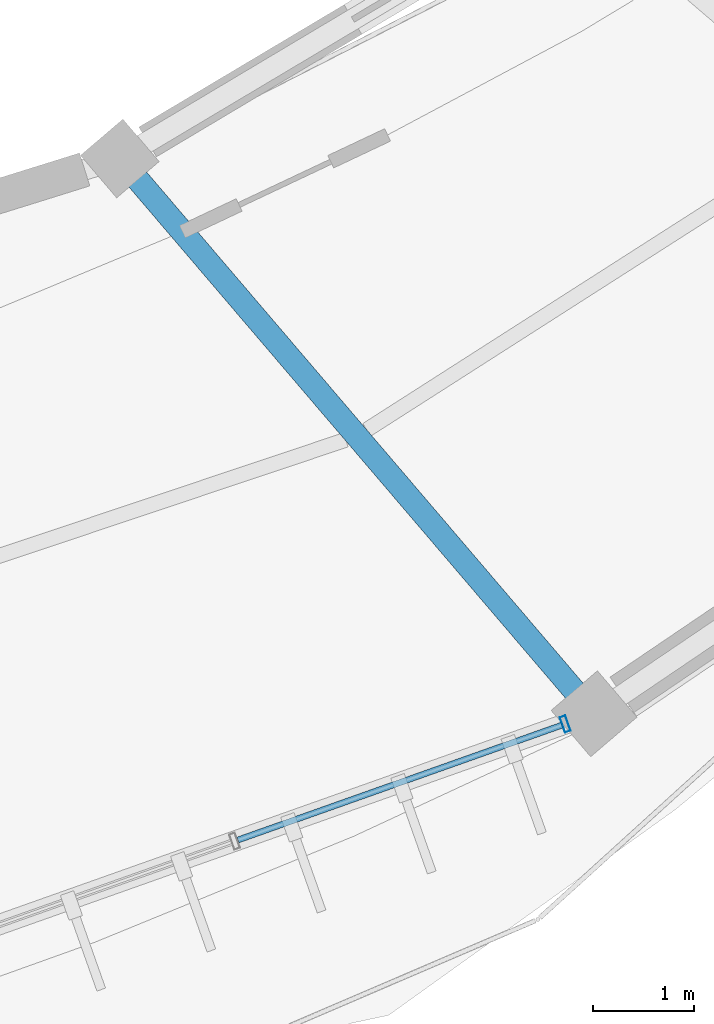
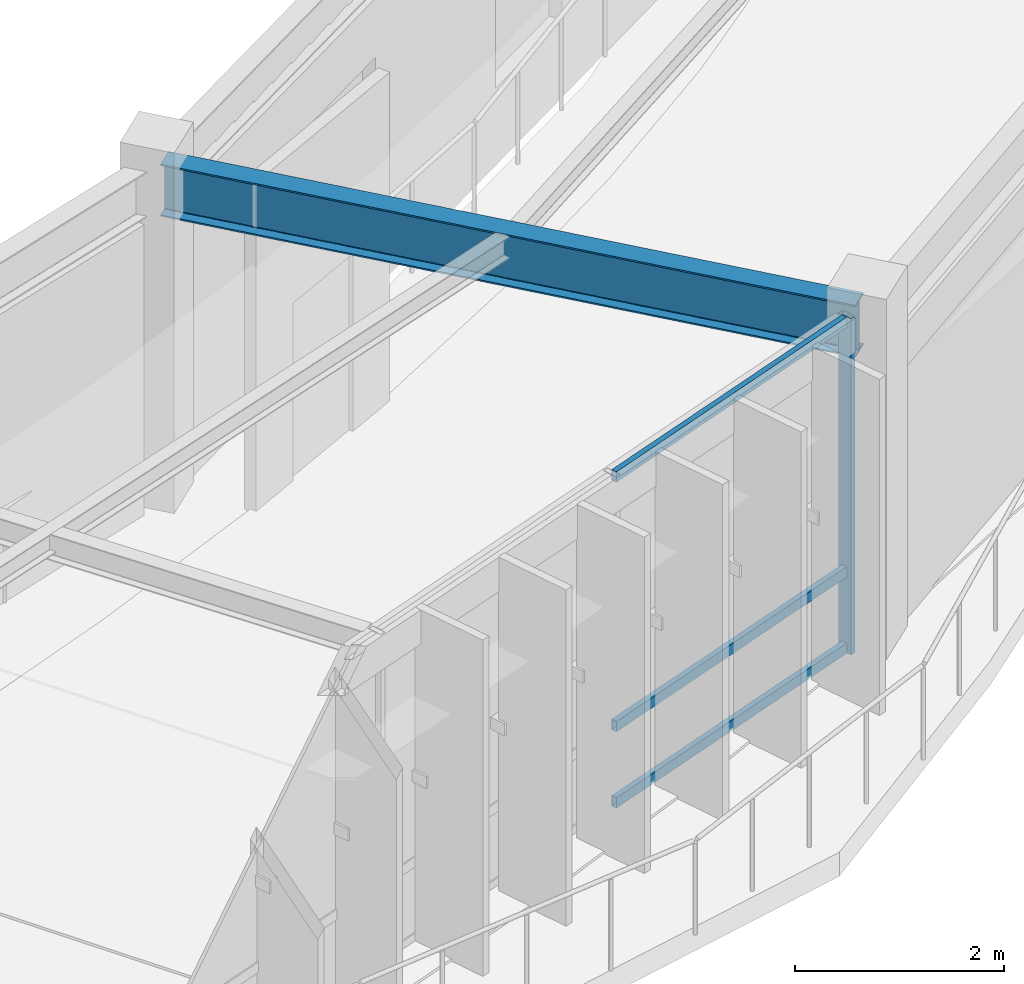
# One storey, part 35 of 83: 4 members, 1 beam, 1 element without a shape of its own.
"""IFC4 building model written with IfcOpenShell, lengths in metres."""

from ifc_helpers import new_model, si_unit, direction, frame, origin, origin_2d, place, context, subcontext, project, spatial, hollow_rectangle, i_section, extrude, material, material_profile, profile_set, type_object, element, aggregate, save


model = new_model("IFC4")

# Units and contexts
model_context = context("Model", 3, precision=1e-05, world=origin(), true_north=direction((0.0, 1.0)))
body_context = subcontext(model_context, "Body", "Model", "MODEL_VIEW")
ifc_project = project(units=[si_unit("LENGTHUNIT", "METRE"), si_unit("AREAUNIT", "SQUARE_METRE"), si_unit("VOLUMEUNIT", "CUBIC_METRE"), si_unit("PLANEANGLEUNIT", "RADIAN"), si_unit("MASSUNIT", "GRAM", prefix="KILO"), si_unit("THERMODYNAMICTEMPERATUREUNIT", "KELVIN"), si_unit("POWERUNIT", "WATT")], contexts=[model_context])

# Site, building, storey
site_placement = place(None, origin())
site = spatial("IfcSite", under=ifc_project, at=site_placement, CompositionType="ELEMENT")
building_placement = place(site_placement, origin())
building = spatial("IfcBuilding", under=site, at=building_placement, Name="Darbajah Civic Hall", CompositionType="ELEMENT")
storey_placement = place(building_placement, frame((0.0, 0.0, 18.0)))
storey = spatial("IfcBuildingStorey", under=building, at=storey_placement, Name="L04", CompositionType="ELEMENT", Elevation=18.0)

# Curtain wall, members
ifc_material_1 = material(Name="Anodised Bronze Aluminium and Low-E Glazing", Category="aluminium")
curtain_wall_type = type_object("IfcCurtainWallType", Name="Unitised Curtain Wall CW-62 13800x3900", PredefinedType="USERDEFINED", material=ifc_material_1)
curtain_wall_placement = place(storey_placement, origin())
curtain_wall = element("IfcCurtainWall", 1, at=curtain_wall_placement, inside=storey, type_object=curtain_wall_type, Name="L04 unitised curtain wall CW-V1O-L04-16", ObjectType="UNITISED CURTAIN WALL", PredefinedType="USERDEFINED")
ifc_material_2 = material(Name="Anodised Bronze Aluminium", Category="aluminium")
ifc_material_profile_1 = material_profile(ifc_material_2, hollow_rectangle(XDim=0.06005859375, YDim=0.159912109375, WallThickness=0.00341796875, at=origin_2d()), Name="ALU MULLION 60x160")
ifc_profile_set_1 = profile_set([ifc_material_profile_1], Name="Anodised Bronze Aluminium")
member_type_1 = type_object("IfcMemberType", Name="ALU MULLION 60x160", PredefinedType="MULLION", material=ifc_profile_set_1)
member_1_placement = place(storey_placement, frame((121.937255859375, 67.26708984375, 0.0), z_axis=(0.0, 0.0, 1.0), x_axis=(0.94252491309, 0.334135882844, 0.0)))
member_1 = element("IfcMember", 2, at=member_1_placement, type_object=member_type_1, Name="CW-V1O-L04-16 mullion 5", PredefinedType="MULLION", context=body_context, shape_type="SweptSolid", body=[
    extrude(hollow_rectangle(XDim=0.06005859375, YDim=0.159912109375, WallThickness=0.00341796875, at=origin_2d()), origin(), (0.0, 0.0, 1.0), 3.919921875),
])
ifc_material_profile_2 = material_profile(ifc_material_2, hollow_rectangle(XDim=0.06005859375, YDim=0.1201171875, WallThickness=0.003173828125, at=origin_2d()), Name="ALU TRANSOM 60x120")
ifc_profile_set_2 = profile_set([ifc_material_profile_2], Name="Anodised Bronze Aluminium")
member_type_2 = type_object("IfcMemberType", Name="ALU TRANSOM 60x120", PredefinedType="USERDEFINED", material=ifc_profile_set_2)
member_2_placement = place(storey_placement, frame((118.711181640625, 66.12353515625, 0.06005859375), z_axis=(0.942539786443, 0.334093925373, 0.0), x_axis=(-0.334093925373, 0.942539786443, 0.0)))
member_2 = element("IfcMember", 3, at=member_2_placement, type_object=member_type_2, Name="CW-V1O-L04-16 transom 4.1", ObjectType="TRANSOM", PredefinedType="USERDEFINED", context=body_context, shape_type="SweptSolid", body=[
    extrude(hollow_rectangle(XDim=0.06005859375, YDim=0.1201171875, WallThickness=0.003173828125, at=origin_2d()), origin(), (0.0, 0.0, 1.0), 3.3876953125),
])
member_3_placement = place(storey_placement, frame((118.711181640625, 66.12353515625, 0.949951171875), z_axis=(0.942539786443, 0.334093925373, 0.0), x_axis=(-0.334093925373, 0.942539786443, 0.0)))
member_3 = element("IfcMember", 4, at=member_3_placement, type_object=member_type_2, Name="CW-V1O-L04-16 transom 4.2", ObjectType="TRANSOM", PredefinedType="USERDEFINED", context=body_context, shape_type="SweptSolid", body=[
    extrude(hollow_rectangle(XDim=0.06005859375, YDim=0.1201171875, WallThickness=0.003173828125, at=origin_2d()), origin(), (0.0, 0.0, 1.0), 3.3876953125),
])
member_4_placement = place(storey_placement, frame((118.711181640625, 66.12353515625, 3.860107421875), z_axis=(0.942539786443, 0.334093925373, 0.0), x_axis=(-0.334093925373, 0.942539786443, 0.0)))
member_4 = element("IfcMember", 5, at=member_4_placement, type_object=member_type_2, Name="CW-V1O-L04-16 transom 4.3", ObjectType="TRANSOM", PredefinedType="USERDEFINED", context=body_context, shape_type="SweptSolid", body=[
    extrude(hollow_rectangle(XDim=0.06005859375, YDim=0.1201171875, WallThickness=0.003173828125, at=origin_2d()), origin(), (0.0, 0.0, 1.0), 3.3876953125),
])
aggregate(curtain_wall, [member_1, member_2, member_3, member_4])

# Beam
ifc_material_3 = material(Name="Steel S355JR", Category="steel")
ifc_material_profile_3 = material_profile(ifc_material_3, i_section(OverallWidth=0.228271484375, OverallDepth=0.607666015625, WebThickness=0.010986328125, FlangeThickness=0.017333984375, FilletRadius=0.0126953125, at=origin_2d()), Name="UB 610x229x113")
ifc_profile_set_3 = profile_set([ifc_material_profile_3], Name="Steel S355JR")
beam_type = type_object("IfcBeamType", Name="UB 610x229x113", PredefinedType="BEAM", material=ifc_profile_set_3)
beam_placement = place(storey_placement, frame((117.597900390625, 72.781982421875, 3.6162109375), z_axis=(0.649439482197, -0.760413281686, 0.0), x_axis=(0.760413281686, 0.649439482197, 0.0)))
element("IfcBeam", 6, at=beam_placement, inside=storey, type_object=beam_type, Name="L04 beam SB-610", PredefinedType="BEAM", context=body_context, shape_type="SweptSolid", body=[
    extrude(i_section(OverallWidth=0.228271484375, OverallDepth=0.607666015625, WebThickness=0.010986328125, FlangeThickness=0.017333984375, FilletRadius=0.0126953125, at=origin_2d()), origin(), (0.0, 0.0, 1.0), 7.0400390625),
])

save(model, "model.ifc")
